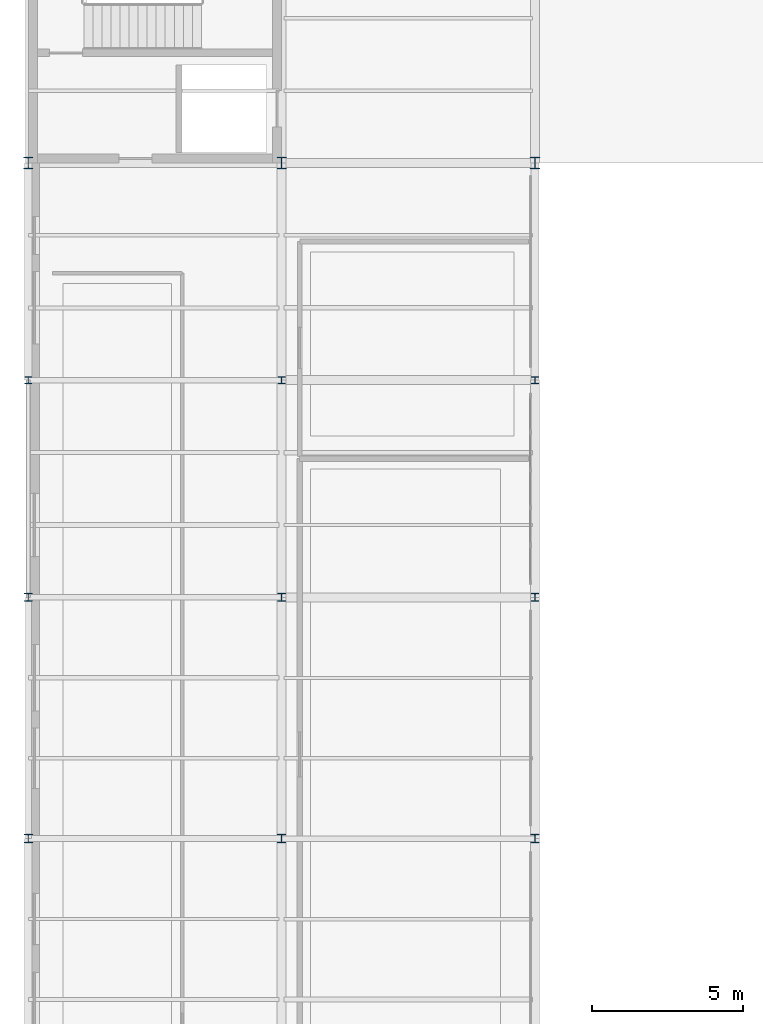
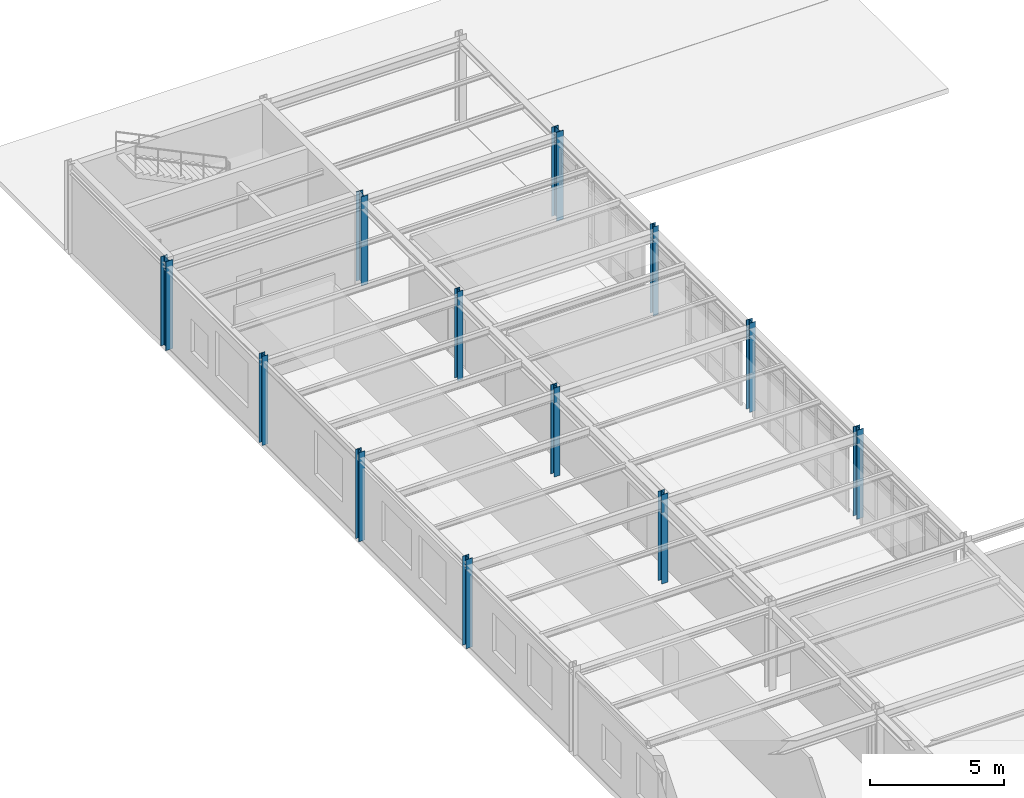
# One storey, part 8 of 70: 12 columns.
"""IFC4 building model written with IfcOpenShell, lengths in metres."""

from ifc_helpers import new_model, si_unit, derived_unit, direction, frame, origin, origin_2d, place, context, subcontext, project, spatial, i_section, extrude, material, material_profile, profile_set, type_object, element, save


model = new_model("IFC4")

# Units and contexts
model_context = context("Model", 3, precision=1e-05, world=origin(), true_north=direction((0.0, 1.0)))
body_context = subcontext(model_context, "Body", "Model", "MODEL_VIEW")
ifc_project = project(units=[si_unit("LENGTHUNIT", "METRE"), si_unit("AREAUNIT", "SQUARE_METRE"), si_unit("VOLUMEUNIT", "CUBIC_METRE"), si_unit("PLANEANGLEUNIT", "RADIAN"), si_unit("MASSUNIT", "GRAM", prefix="KILO"), derived_unit("THERMALTRANSMITTANCEUNIT", [(si_unit("POWERUNIT", "WATT"), 1), (si_unit("AREAUNIT", "SQUARE_METRE"), -1), (si_unit("THERMODYNAMICTEMPERATUREUNIT", "KELVIN"), -1)])], contexts=[model_context])

# Site, building, storey
site_placement = place(None, origin())
site = spatial("IfcSite", under=ifc_project, at=site_placement, CompositionType="ELEMENT")
building_placement = place(site_placement, origin())
building = spatial("IfcBuilding", under=site, at=building_placement, Name="Yasenodar Specialist Clinic", CompositionType="ELEMENT")
storey_placement = place(building_placement, frame((0.0, 0.0, 13.199951171875)))
storey = spatial("IfcBuildingStorey", under=building, at=storey_placement, Name="L03", CompositionType="ELEMENT", Elevation=13.199951171875)

# Columns
ifc_material = material(Name="Steel S355", Category="steel")
ifc_material_profile_1 = material_profile(ifc_material, i_section(OverallWidth=0.300048828125, OverallDepth=0.389892578125, WebThickness=0.010986328125, FlangeThickness=0.01904296875, FilletRadius=0.027099609375, at=origin_2d()), Name="HEA 400")
ifc_profile_set_1 = profile_set([ifc_material_profile_1], Name="Steel S355")
column_type_1 = type_object("IfcColumnType", Name="COL-ST-HEA400", PredefinedType="COLUMN", material=ifc_profile_set_1)
for number, where, z_axis, x_axis, name in (
    (1, (0.0, 97.199951171875, 0.0), (0.0, 0.0, 1.0), (1.0, 0.0, 0.0), "L03 Column V4-013"),
    (2, (8.39990234375, 97.199951171875, 0.0), (0.0, 0.0, 1.0), (1.0, 0.0, 0.0), "L03 Column V4-028"),
    (3, (16.800048828125, 97.199951171875, 0.0), (0.0, 0.0, 1.0), (1.0, 0.0, 0.0), "L03 Column V4-043"),
):
    element("IfcColumn", number, at=place(storey_placement, frame(where, z_axis=z_axis, x_axis=x_axis)), inside=storey, type_object=column_type_1, Name=name, PredefinedType="COLUMN", context=body_context, shape_type="SweptSolid", body=[
        extrude(i_section(OverallWidth=0.300048828125, OverallDepth=0.389892578125, WebThickness=0.010986328125, FlangeThickness=0.01904296875, FilletRadius=0.027099609375, at=origin_2d()), origin(), (0.0, 0.0, 1.0), 4.050048828125),
    ])
ifc_material_profile_2 = material_profile(ifc_material, i_section(OverallWidth=0.239990234375, OverallDepth=0.239990234375, WebThickness=0.010009765625, FlangeThickness=0.01708984375, FilletRadius=0.02099609375, at=origin_2d()), Name="HEB 240")
ifc_profile_set_2 = profile_set([ifc_material_profile_2], Name="Steel S355")
column_type_2 = type_object("IfcColumnType", Name="COL-ST-HEB240", PredefinedType="COLUMN", material=ifc_profile_set_2)
for number, where, z_axis, x_axis, name in (
    (4, (0.0, 90.0, 0.0), (0.0, 0.0, 1.0), (1.0, 0.0, 0.0), "L03 Column V4-012"),
    (5, (8.39990234375, 90.0, 0.0), (0.0, 0.0, 1.0), (1.0, 0.0, 0.0), "L03 Column V4-027"),
    (6, (16.800048828125, 90.0, 0.0), (0.0, 0.0, 1.0), (1.0, 0.0, 0.0), "L03 Column V4-042"),
):
    element("IfcColumn", number, at=place(storey_placement, frame(where, z_axis=z_axis, x_axis=x_axis)), inside=storey, type_object=column_type_2, Name=name, PredefinedType="COLUMN", context=body_context, shape_type="SweptSolid", body=[
        extrude(i_section(OverallWidth=0.239990234375, OverallDepth=0.239990234375, WebThickness=0.010009765625, FlangeThickness=0.01708984375, FilletRadius=0.02099609375, at=origin_2d()), origin(), (0.0, 0.0, 1.0), 4.050048828125),
    ])
ifc_material_profile_3 = material_profile(ifc_material, i_section(OverallWidth=0.260009765625, OverallDepth=0.260009765625, WebThickness=0.010009765625, FlangeThickness=0.017578125, FilletRadius=0.02392578125, at=origin_2d()), Name="HEB 260")
ifc_profile_set_3 = profile_set([ifc_material_profile_3], Name="Steel S355")
column_type_3 = type_object("IfcColumnType", Name="COL-ST-HEB260", PredefinedType="COLUMN", material=ifc_profile_set_3)
for number, where, z_axis, x_axis, name in (
    (7, (0.0, 82.800048828125, 0.0), (0.0, 0.0, 1.0), (1.0, 0.0, 0.0), "L03 Column V4-011"),
    (8, (8.39990234375, 82.800048828125, 0.0), (0.0, 0.0, 1.0), (1.0, 0.0, 0.0), "L03 Column V4-026"),
    (9, (16.800048828125, 82.800048828125, 0.0), (0.0, 0.0, 1.0), (1.0, 0.0, 0.0), "L03 Column V4-041"),
):
    element("IfcColumn", number, at=place(storey_placement, frame(where, z_axis=z_axis, x_axis=x_axis)), inside=storey, type_object=column_type_3, Name=name, PredefinedType="COLUMN", context=body_context, shape_type="SweptSolid", body=[
        extrude(i_section(OverallWidth=0.260009765625, OverallDepth=0.260009765625, WebThickness=0.010009765625, FlangeThickness=0.017578125, FilletRadius=0.02392578125, at=origin_2d()), origin(), (0.0, 0.0, 1.0), 4.050048828125),
    ])
ifc_material_profile_4 = material_profile(ifc_material, i_section(OverallWidth=0.280029296875, OverallDepth=0.280029296875, WebThickness=0.010498046875, FlangeThickness=0.01806640625, FilletRadius=0.02392578125, at=origin_2d()), Name="HEB 280")
ifc_profile_set_4 = profile_set([ifc_material_profile_4], Name="Steel S355")
column_type_4 = type_object("IfcColumnType", Name="COL-ST-HEB280", PredefinedType="COLUMN", material=ifc_profile_set_4)
for number, where, z_axis, x_axis, name in (
    (10, (0.0, 74.800048828125, 0.0), (0.0, 0.0, 1.0), (1.0, 0.0, 0.0), "L03 Column V4-010"),
    (11, (8.39990234375, 74.800048828125, 0.0), (0.0, 0.0, 1.0), (1.0, 0.0, 0.0), "L03 Column V4-025"),
    (12, (16.800048828125, 74.800048828125, 0.0), (0.0, 0.0, 1.0), (1.0, 0.0, 0.0), "L03 Column V4-040"),
):
    element("IfcColumn", number, at=place(storey_placement, frame(where, z_axis=z_axis, x_axis=x_axis)), inside=storey, type_object=column_type_4, Name=name, PredefinedType="COLUMN", context=body_context, shape_type="SweptSolid", body=[
        extrude(i_section(OverallWidth=0.280029296875, OverallDepth=0.280029296875, WebThickness=0.010498046875, FlangeThickness=0.01806640625, FilletRadius=0.02392578125, at=origin_2d()), origin(), (0.0, 0.0, 1.0), 4.050048828125),
    ])

save(model, "model.ifc")
